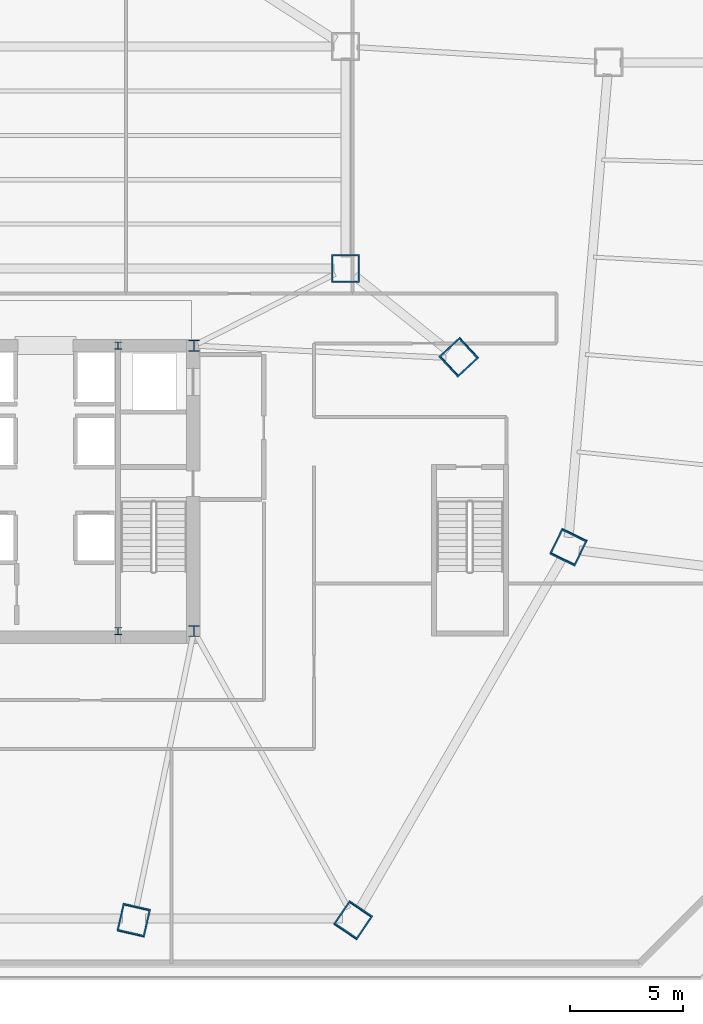
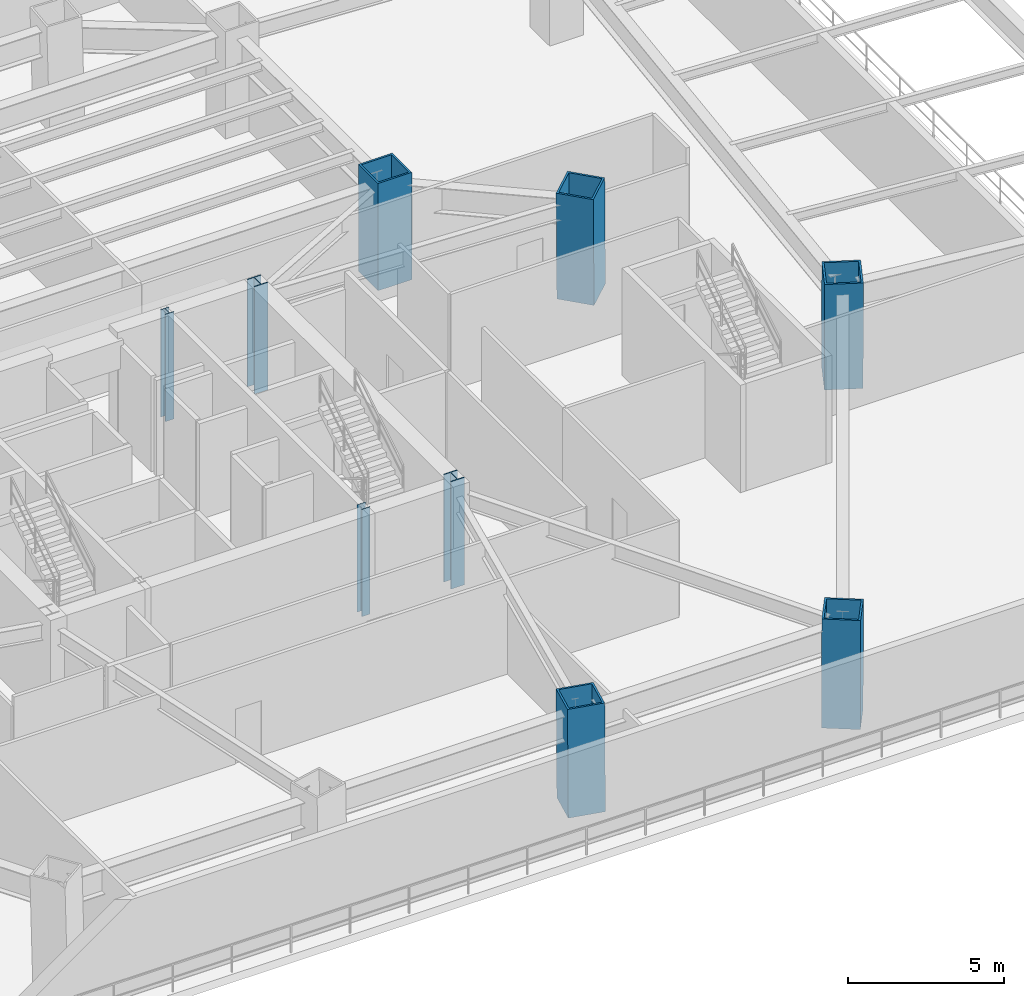
# One storey, part 2 of 12: 9 columns.
"""IFC4 building model written with IfcOpenShell, lengths in metres."""

from ifc_helpers import new_model, si_unit, direction, frame, origin, origin_2d, place, context, subcontext, project, spatial, hollow_rectangle, i_section, extrude, source, transform, mapped, material, material_profile, profile_set, type_object, type_shapes, element, save


model = new_model("IFC4")

# Units and contexts
model_context = context("Model", 3, precision=1e-05, world=origin(), true_north=direction((0.0, 1.0)))
body_context = subcontext(model_context, "Body", "Model", "MODEL_VIEW")
ifc_project = project(units=[si_unit("LENGTHUNIT", "METRE"), si_unit("AREAUNIT", "SQUARE_METRE"), si_unit("VOLUMEUNIT", "CUBIC_METRE"), si_unit("PLANEANGLEUNIT", "RADIAN"), si_unit("MASSUNIT", "GRAM", prefix="KILO")], contexts=[model_context])

# Site, building, storey
site_placement = place(None, origin())
site = spatial("IfcSite", under=ifc_project, at=site_placement, CompositionType="ELEMENT")
building_placement = place(site_placement, origin())
building = spatial("IfcBuilding", under=site, at=building_placement, Name="Caelisora Broadcast Tower", CompositionType="ELEMENT")
storey_placement = place(building_placement, frame((0.0, 0.0, 18.89990234375)))
storey = spatial("IfcBuildingStorey", under=building, at=storey_placement, Name="L04", CompositionType="ELEMENT", Elevation=18.89990234375)

# Columns
ifc_material_1 = material(Name="Steel Grade 350 L15 (AS/NZS 3678)", Category="steel")
ifc_material_profile_1 = material_profile(ifc_material_1, hollow_rectangle(XDim=1.25, YDim=1.25, WallThickness=0.070068359375, at=origin_2d()), Name="Steel Grade 350 L15 (AS/NZS 3678)")
ifc_profile_set_1 = profile_set([ifc_material_profile_1], Name="Steel Grade 350 L15 (AS/NZS 3678)")
column_type_1 = type_object("IfcColumnType", Name="MC02", PredefinedType="COLUMN", material=ifc_profile_set_1)
shared_shape_1 = source(origin(), body_context, "Body", "SweptSolid", [
    extrude(hollow_rectangle(XDim=1.25, YDim=1.25, WallThickness=0.070068359375, at=origin_2d()), origin(), (0.0, 0.0, 1.0), 4.201171875),
])
for number, where, z_axis, x_axis, name in (
    (1, (42.83837890625, 4.627685546875, 0.0), (0.00453289243, 0.019816875879, 0.999793350806), (-0.97482300973, 0.222980043281, 0.0), "L04 column MC02"),
    (2, (57.196044921875, 29.49609375, 0.0), (-0.014877190058, -0.013831137632, 0.999793663136), (0.680889907137, -0.732385782467, 0.0), "L04 column MC02"),
):
    element("IfcColumn", number, at=place(storey_placement, frame(where, z_axis=z_axis, x_axis=x_axis)), inside=storey, type_object=column_type_1, Name=name, PredefinedType="COLUMN", context=body_context, shape_type="MappedRepresentation", body=[
        mapped(shared_shape_1, transform((0.0, 0.0, 0.0), scale=1.0)),
    ])
ifc_material_2 = material(Name="Steel Grade 350 (AS/NZS 3679.2)", Category="steel")
ifc_material_profile_2 = material_profile(ifc_material_2, i_section(OverallWidth=0.5, OverallDepth=0.5, WebThickness=0.028076171875, FlangeThickness=0.0400390625, at=origin_2d()), Name="Steel Grade 350 (AS/NZS 3679.2)")
ifc_profile_set_2 = profile_set([ifc_material_profile_2], Name="Steel Grade 350 (AS/NZS 3679.2)")
column_type_2 = type_object("IfcColumnType", Name="CC01", PredefinedType="COLUMN", material=ifc_profile_set_2)
shared_shape_2 = source(origin(), body_context, "Body", "SweptSolid", [
    extrude(i_section(OverallWidth=0.5, OverallDepth=0.5, WebThickness=0.028076171875, FlangeThickness=0.0400390625, at=origin_2d()), origin(), (0.0, 0.0, 1.0), 4.2001953125),
])
type_shapes(column_type_2, [shared_shape_2])
for number, where, z_axis, x_axis, name in (
    (3, (45.5, 17.39990234375, 0.0), (0.0, 0.0, 1.0), (1.0, 0.0, 0.0), "L04 column CC01"),
    (4, (45.5, 30.0, 0.0), (0.0, 0.0, 1.0), (1.0, 0.0, 0.0), "L04 column CC01"),
):
    element("IfcColumn", number, at=place(storey_placement, frame(where, z_axis=z_axis, x_axis=x_axis)), inside=storey, type_object=column_type_2, Name=name, PredefinedType="COLUMN", context=body_context, shape_type="MappedRepresentation", body=[
        mapped(shared_shape_2, transform((0.0, 0.0, 0.0), scale=1.0)),
    ])
ifc_material_3 = material(Name="Steel Grade 350 (AS/NZS 3679.1)", Category="steel")
ifc_material_profile_3 = material_profile(ifc_material_3, i_section(OverallWidth=0.306884765625, OverallDepth=0.314697265625, WebThickness=0.011962890625, FlangeThickness=0.018798828125, at=origin_2d()), Name="Steel Grade 350 (AS/NZS 3679.1)")
ifc_profile_set_3 = profile_set([ifc_material_profile_3], Name="Steel Grade 350 (AS/NZS 3679.1)")
column_type_3 = type_object("IfcColumnType", Name="CC04", PredefinedType="COLUMN", material=ifc_profile_set_3)
shared_shape_3 = source(origin(), body_context, "Body", "SweptSolid", [
    extrude(i_section(OverallWidth=0.306884765625, OverallDepth=0.314697265625, WebThickness=0.011962890625, FlangeThickness=0.018798828125, at=origin_2d()), origin(), (0.0, 0.0, 1.0), 4.2001953125),
])
type_shapes(column_type_3, [shared_shape_3])
for number, where, z_axis, x_axis, name in (
    (5, (42.14990234375, 17.39990234375, 0.0), (0.0, 0.0, 1.0), (1.0, 0.0, 0.0), "L04 column CC04"),
    (6, (42.14990234375, 30.0, 0.0), (0.0, 0.0, 1.0), (1.0, 0.0, 0.0), "L04 column CC04"),
):
    element("IfcColumn", number, at=place(storey_placement, frame(where, z_axis=z_axis, x_axis=x_axis)), inside=storey, type_object=column_type_3, Name=name, PredefinedType="COLUMN", context=body_context, shape_type="MappedRepresentation", body=[
        mapped(shared_shape_3, transform((0.0, 0.0, 0.0), scale=1.0)),
    ])
shared_shape_4 = source(origin(), body_context, "Body", "SweptSolid", [
    extrude(hollow_rectangle(XDim=1.25, YDim=1.25, WallThickness=0.070068359375, at=origin_2d()), origin(), (0.0, 0.0, 1.0), 4.201416015625),
])
for number, where, z_axis, x_axis, name in (
    (7, (52.515380859375, 4.627685546875, 0.0), (0.013423263699, 0.019815294031, 0.999713544029), (-0.827918690488, 0.56084814517, 0.0), "L04 column MC02"),
    (8, (62.03466796875, 21.115478515625, 0.0), (-0.010459692038, -0.021500478079, 0.999714121279), (0.899235088746, -0.437465718849, 0.0), "L04 column MC02"),
):
    element("IfcColumn", number, at=place(storey_placement, frame(where, z_axis=z_axis, x_axis=x_axis)), inside=storey, type_object=column_type_1, Name=name, PredefinedType="COLUMN", context=body_context, shape_type="MappedRepresentation", body=[
        mapped(shared_shape_4, transform((0.0, 0.0, 0.0), scale=1.0)),
    ])
shared_shape_5 = source(origin(), body_context, "Body", "SweptSolid", [
    extrude(hollow_rectangle(XDim=1.25, YDim=1.25, WallThickness=0.070068359375, at=origin_2d()), origin(), (0.0, 0.0, 1.0), 4.2001953125),
])
type_shapes(column_type_1, [shared_shape_1, shared_shape_4, shared_shape_5])
column_placement = place(storey_placement, frame((52.18896484375, 33.39990234375, 0.0), z_axis=(0.0, 0.0, 1.0), x_axis=(1.0, 0.0, 0.0)))
element("IfcColumn", 9, at=column_placement, inside=storey, type_object=column_type_1, Name="L04 column MC02", PredefinedType="COLUMN", context=body_context, shape_type="MappedRepresentation", body=[
    mapped(shared_shape_5, transform((0.0, 0.0, 0.0), scale=1.0)),
])

save(model, "model.ifc")
